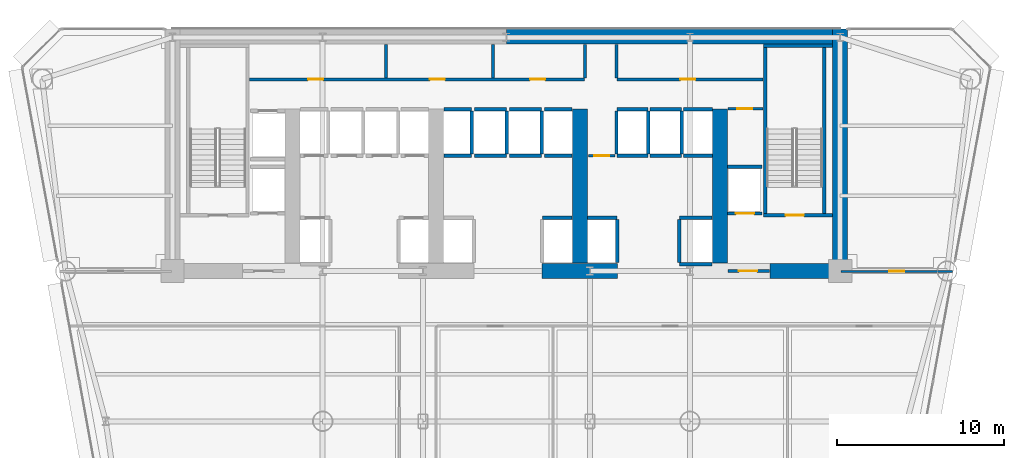
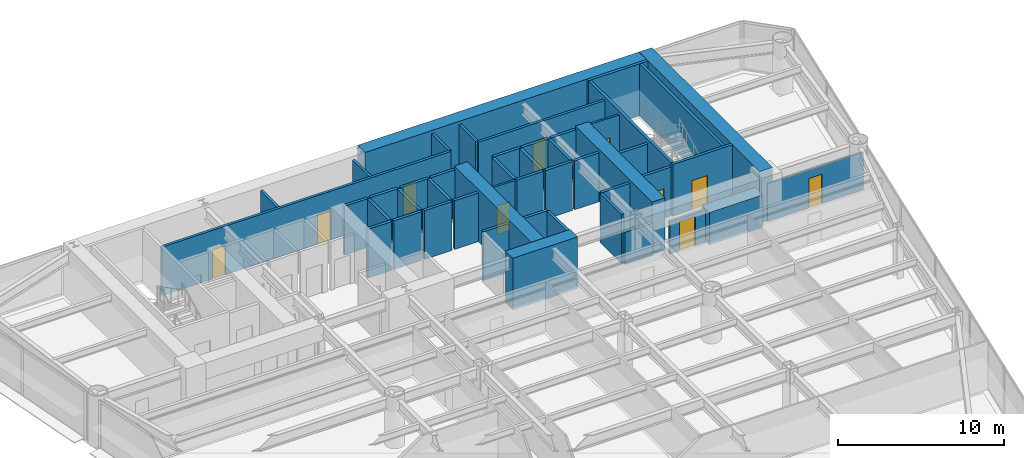
# One storey, part 9 of 14: 48 walls, 10 doors, 10 openings.
"""IFC4 building model written with IfcOpenShell, lengths in metres."""

from ifc_helpers import new_model, si_unit, direction, frame, frame_2d, origin, place, context, subcontext, project, spatial, rectangle, extrude, source, transform, mapped, material, layer, layer_set, type_object, element, fill, save


model = new_model("IFC4")

# Units and contexts
model_context = context("Model", 3, precision=1e-05, world=origin(), true_north=direction((0.0, 1.0)))
body_context = subcontext(model_context, "Body", "Model", "MODEL_VIEW")
ifc_project = project(units=[si_unit("LENGTHUNIT", "METRE"), si_unit("AREAUNIT", "SQUARE_METRE"), si_unit("VOLUMEUNIT", "CUBIC_METRE"), si_unit("PLANEANGLEUNIT", "RADIAN"), si_unit("MASSUNIT", "GRAM", prefix="KILO")], contexts=[model_context])

# Site, building, storey
site_placement = place(None, origin())
site = spatial("IfcSite", under=ifc_project, at=site_placement, CompositionType="ELEMENT")
building_placement = place(site_placement, origin())
building = spatial("IfcBuilding", under=site, at=building_placement, Name="Vaeldorn Concourse Tower", CompositionType="ELEMENT")
storey_placement = place(building_placement, frame((0.0, 0.0, 72.0)))
storey = spatial("IfcBuildingStorey", under=building, at=storey_placement, Name="L18", CompositionType="ELEMENT", Elevation=72.0)

# Walls
ifc_material_1 = material(Name="Concrete C60/75", Category="concrete")
ifc_layer_1 = layer(ifc_material_1, 0.89990234375)
ifc_layer_set_1 = layer_set([ifc_layer_1], Name="Concrete C60/75")
wall_type_1 = type_object("IfcWallType", Name="WL-CORE-900", PredefinedType="SHEAR", material=ifc_layer_set_1)
wall_1_placement = place(storey_placement, frame((34.001953125, 50.550048828125, 0.0), z_axis=(0.0, 0.0, 1.0), x_axis=(1.0, 0.0, 0.0)))
element("IfcWall", 1, at=wall_1_placement, inside=storey, type_object=wall_type_1, Name="Rear Core Shear Wall L18 N2", PredefinedType="SHEAR", context=body_context, shape_type="SweptSolid", body=[
    extrude(rectangle(XDim=19.5439453125, YDim=0.89990234375, at=frame_2d((9.77197265625, 0.0))), origin(), (0.0, 0.0, 1.0), 3.800048828125),
])
wall_2_placement = place(storey_placement, frame((54.0, 36.5, 0.0), z_axis=(0.0, 0.0, 1.0), x_axis=(0.0, 1.0, 0.0)))
element("IfcWall", 2, at=wall_2_placement, inside=storey, type_object=wall_type_1, Name="Rear Core Shear Wall L18 E1", PredefinedType="SHEAR", context=body_context, shape_type="SweptSolid", body=[
    extrude(rectangle(XDim=14.5, YDim=0.89990234375, at=frame_2d((7.25, 0.0))), origin(), (0.0, 0.0, 1.0), 3.800048828125),
])
wall_3_placement = place(storey_placement, frame((36.14990234375, 36.5, 0.0), z_axis=(0.0, 0.0, 1.0), x_axis=(1.0, 0.0, 0.0)))
element("IfcWall", 3, at=wall_3_placement, inside=storey, type_object=wall_type_1, Name="Rear Core Shear Wall L18 S3", PredefinedType="SHEAR", context=body_context, shape_type="SweptSolid", body=[
    extrude(rectangle(XDim=4.5, YDim=0.89990234375, at=frame_2d((2.25, 0.0))), origin(), (0.0, 0.0, 1.0), 3.800048828125),
])
wall_4_placement = place(storey_placement, frame((49.800048828125, 36.5, 0.0), z_axis=(0.0, 0.0, 1.0), x_axis=(1.0, 0.0, 0.0)))
element("IfcWall", 4, at=wall_4_placement, inside=storey, type_object=wall_type_1, Name="Rear Core Shear Wall L18 S4", PredefinedType="SHEAR", context=body_context, shape_type="SweptSolid", body=[
    extrude(rectangle(XDim=3.72998046875, YDim=0.89990234375, at=frame_2d((1.864990234375, 0.0))), origin(), (0.0, 0.0, 1.0), 2.3798828125),
])
for number, where, z_axis, x_axis, name in (
    (5, (38.39990234375, 36.969970703125, 0.0), (0.0, 0.0, 1.0), (0.0, 1.0, 0.0), "Rear Core Shear Wall L18 M3"),
    (6, (46.800048828125, 36.969970703125, 0.0), (0.0, 0.0, 1.0), (0.0, 1.0, 0.0), "Rear Core Shear Wall L18 M4"),
):
    element("IfcWall", number, at=place(storey_placement, frame(where, z_axis=z_axis, x_axis=x_axis)), inside=storey, type_object=wall_type_1, Name=name, PredefinedType="SHEAR", context=body_context, shape_type="SweptSolid", body=[
        extrude(rectangle(XDim=9.22998046875, YDim=0.89990234375, at=frame_2d((4.614990234375, 0.0))), origin(), (0.0, 0.0, 1.0), 3.800048828125),
    ])

# Wall, opening, door
ifc_material_2 = material(Name="Gypsum Board Partition", Category="gypsum")
ifc_layer_2 = layer(ifc_material_2, 0.1201171875)
ifc_layer_set_2 = layer_set([ifc_layer_2], Name="Gypsum Board Partition")
wall_type_2 = type_object("IfcWallType", Name="WL-PART-120", PredefinedType="PARTITIONING", material=ifc_layer_set_2)
wall_5_placement = place(storey_placement, frame((54.06005859375, 36.47998046875, 0.0), z_axis=(0.0, 0.0, 1.0), x_axis=(1.0, 0.0, 0.0)))
wall_5 = element("IfcWall", 7, at=wall_5_placement, inside=storey, type_object=wall_type_2, Name="Interior Wall PW-L18-NES", PredefinedType="PARTITIONING", context=body_context, shape_type="SweptSolid", body=[
    extrude(rectangle(XDim=6.662841796875, YDim=0.1201171875, at=frame_2d((3.33154296875, 0.0))), origin(), (0.0, 0.0, 1.0), 2.77001953125),
])
opening_1_placement = place(wall_5_placement, frame((2.881103515625, 0.0, 0.0)))
opening_1 = element("IfcOpeningElement", 8, at=opening_1_placement, cuts=wall_5, Name="Opening D-03", PredefinedType="OPENING", context=body_context, shape_type="SweptSolid", body=[
    extrude(rectangle(XDim=0.89990234375, YDim=2.14990234375, at=frame_2d((0.449951171875, 1.074951171875))), frame((0.0, 0.070068359375, 0.0), z_axis=(0.0, -1.0, 0.0), x_axis=(1.0, 0.0, 0.0)), (0.0, 0.0, 1.0), 0.14013671875),
])
ifc_material_3 = material(Name="Acoustic Bronze-Framed Glass Door", Category="glass")
door_type_1 = type_object("IfcDoorType", Name="DR-INT-900", OperationType="NOTDEFINED", PredefinedType="DOOR", material=ifc_material_3)
shared_shape_1 = source(origin(), body_context, "Body", "SweptSolid", [
    extrude(rectangle(XDim=0.89990234375, YDim=2.14990234375, at=frame_2d((0.449951171875, 1.074951171875))), frame((0.0, 0.02490234375, 0.0), z_axis=(0.0, -1.0, 0.0), x_axis=(1.0, 0.0, 0.0)), (0.0, 0.0, 1.0), 0.050048828125),
])
door_1_placement = place(opening_1_placement, origin())
door_1 = element("IfcDoor", 9, at=door_1_placement, inside=storey, type_object=door_type_1, Name="Interior Door DR-L18-NEC", OperationType="SINGLE_SWING_RIGHT", OverallHeight=2.14990234375, OverallWidth=0.89990234375, PredefinedType="DOOR", context=body_context, shape_type="MappedRepresentation", body=[
    mapped(shared_shape_1, transform((0.0, 0.0, 0.0), scale=1.0)),
])
fill(opening_1, door_1)

ifc_layer_3 = layer(ifc_material_2, 0.14990234375)
ifc_layer_set_3 = layer_set([ifc_layer_3], Name="Gypsum Board Partition")
wall_type_3 = type_object("IfcWallType", Name="WL-PART-150", PredefinedType="PARTITIONING", material=ifc_layer_set_3)
wall_6_placement = place(storey_placement, frame((47.280029296875, 46.219970703125, 0.0), z_axis=(0.0, 0.0, 1.0), x_axis=(1.0, 0.0, 0.0)))
wall_6 = element("IfcWall", 10, at=wall_6_placement, inside=storey, type_object=wall_type_3, Name="Interior Wall CW-L18-CRSE-N", PredefinedType="PARTITIONING", context=body_context, shape_type="SweptSolid", body=[
    extrude(rectangle(XDim=2.099853515625, YDim=0.14990234375, at=frame_2d((1.0498046875, 0.0))), origin(), (0.0, 0.0, 1.0), 3.580078125),
])
opening_2_placement = place(wall_6_placement, frame((0.550048828125, 0.0, 0.0)))
opening_2 = element("IfcOpeningElement", 11, at=opening_2_placement, cuts=wall_6, Name="Opening D-02", PredefinedType="OPENING", context=body_context, shape_type="SweptSolid", body=[
    extrude(rectangle(XDim=0.89990234375, YDim=2.10009765625, at=frame_2d((0.449951171875, 1.050048828125))), frame((0.0, 0.0849609375, 0.0), z_axis=(0.0, -1.0, 0.0), x_axis=(1.0, 0.0, 0.0)), (0.0, 0.0, 1.0), 0.169921875),
])
ifc_material_4 = material(Name="Fire-Rated Timber Leaf", Category="wood")
door_type_2 = type_object("IfcDoorType", Name="DR-FD30-900", OperationType="NOTDEFINED", PredefinedType="DOOR", material=ifc_material_4)
shared_shape_2 = source(origin(), body_context, "Body", "SweptSolid", [
    extrude(rectangle(XDim=0.89990234375, YDim=2.10009765625, at=frame_2d((0.449951171875, 1.050048828125))), frame((0.0, 0.02490234375, 0.0), z_axis=(0.0, -1.0, 0.0), x_axis=(1.0, 0.0, 0.0)), (0.0, 0.0, 1.0), 0.050048828125),
])
door_2_placement = place(opening_2_placement, origin())
door_2 = element("IfcDoor", 12, at=door_2_placement, inside=storey, type_object=door_type_2, Name="Interior Door DR-L18-CRSE", OperationType="SINGLE_SWING_RIGHT", OverallHeight=2.10009765625, OverallWidth=0.89990234375, PredefinedType="DOOR", context=body_context, shape_type="MappedRepresentation", body=[
    mapped(shared_shape_2, transform((0.0, 0.0, 0.0), scale=1.0)),
])
fill(opening_2, door_2)

wall_7_placement = place(storey_placement, frame((38.919921875, 43.39990234375, 0.0), z_axis=(0.0, 0.0, 1.0), x_axis=(1.0, 0.0, 0.0)))
wall_7 = element("IfcWall", 13, at=wall_7_placement, inside=storey, type_object=wall_type_3, Name="Interior Wall CW-L18-CCLINK", PredefinedType="PARTITIONING", context=body_context, shape_type="SweptSolid", body=[
    extrude(rectangle(XDim=1.60009765625, YDim=0.14990234375, at=frame_2d((0.800048828125, 0.0))), origin(), (0.0, 0.0, 1.0), 3.580078125),
])
opening_3_placement = place(wall_7_placement, frame((0.35009765625, 0.0, 0.0)))
opening_3 = element("IfcOpeningElement", 14, at=opening_3_placement, cuts=wall_7, Name="Opening D-02", PredefinedType="OPENING", context=body_context, shape_type="SweptSolid", body=[
    extrude(rectangle(XDim=0.89990234375, YDim=2.10009765625, at=frame_2d((0.449951171875, 1.050048828125))), frame((0.0, 0.0849609375, 0.0), z_axis=(0.0, -1.0, 0.0), x_axis=(1.0, 0.0, 0.0)), (0.0, 0.0, 1.0), 0.169921875),
])
door_3_placement = place(opening_3_placement, origin())
door_3 = element("IfcDoor", 15, at=door_3_placement, inside=storey, type_object=door_type_2, Name="Interior Door DR-L18-CCLINK", OperationType="SINGLE_SWING_LEFT", OverallHeight=2.10009765625, OverallWidth=0.89990234375, PredefinedType="DOOR", context=body_context, shape_type="MappedRepresentation", body=[
    mapped(shared_shape_2, transform((0.0, 0.0, 0.0), scale=1.0)),
])
fill(opening_3, door_3)

# Wall, openings, doors
ifc_layer_4 = layer(ifc_material_2, 0.179931640625)
ifc_layer_set_4 = layer_set([ifc_layer_4], Name="Gypsum Board Partition")
wall_type_4 = type_object("IfcWallType", Name="WL-PLUMB-180", PredefinedType="PLUMBINGWALL", material=ifc_layer_set_4)
wall_8_placement = place(storey_placement, frame((18.6201171875, 47.97998046875, 0.0), z_axis=(0.0, 0.0, 1.0), x_axis=(1.0, 0.0, 0.0)))
wall_8 = element("IfcWall", 16, at=wall_8_placement, inside=storey, type_object=wall_type_4, Name="Interior Wall CW-L18-NS1W", PredefinedType="PLUMBINGWALL", context=body_context, shape_type="SweptSolid", body=[
    extrude(rectangle(XDim=20.059814453125, YDim=0.179931640625, at=frame_2d((10.02978515625, 0.0))), origin(), (0.0, 0.0, 1.0), 3.580078125),
])
opening_4_placement = place(wall_8_placement, frame((3.5, 0.0, 0.0)))
opening_4 = element("IfcOpeningElement", 17, at=opening_4_placement, cuts=wall_8, Name="Opening D-03", PredefinedType="OPENING", context=body_context, shape_type="SweptSolid", body=[
    extrude(rectangle(XDim=0.89990234375, YDim=2.14990234375, at=frame_2d((0.449951171875, 1.074951171875))), frame((0.0, 0.10009765625, 0.0), z_axis=(0.0, -1.0, 0.0), x_axis=(1.0, 0.0, 0.0)), (0.0, 0.0, 1.0), 0.199951171875),
])
opening_5_placement = place(wall_8_placement, frame((10.800048828125, 0.0, 0.0)))
opening_5 = element("IfcOpeningElement", 18, at=opening_5_placement, cuts=wall_8, Name="Opening D-03", PredefinedType="OPENING", context=body_context, shape_type="SweptSolid", body=[
    extrude(rectangle(XDim=0.89990234375, YDim=2.14990234375, at=frame_2d((0.449951171875, 1.074951171875))), frame((0.0, 0.10009765625, 0.0), z_axis=(0.0, -1.0, 0.0), x_axis=(1.0, 0.0, 0.0)), (0.0, 0.0, 1.0), 0.199951171875),
])
opening_6_placement = place(wall_8_placement, frame((16.800048828125, 0.0, 0.0)))
opening_6 = element("IfcOpeningElement", 19, at=opening_6_placement, cuts=wall_8, Name="Opening D-03", PredefinedType="OPENING", context=body_context, shape_type="SweptSolid", body=[
    extrude(rectangle(XDim=0.89990234375, YDim=2.14990234375, at=frame_2d((0.449951171875, 1.074951171875))), frame((0.0, 0.10009765625, 0.0), z_axis=(0.0, -1.0, 0.0), x_axis=(1.0, 0.0, 0.0)), (0.0, 0.0, 1.0), 0.199951171875),
])
door_4_placement = place(opening_4_placement, origin())
door_4 = element("IfcDoor", 20, at=door_4_placement, inside=storey, type_object=door_type_1, Name="Interior Door DR-L18-CS1", OperationType="SINGLE_SWING_LEFT", OverallHeight=2.14990234375, OverallWidth=0.89990234375, PredefinedType="DOOR", context=body_context, shape_type="MappedRepresentation", body=[
    mapped(shared_shape_1, transform((0.0, 0.0, 0.0), scale=1.0)),
])
fill(opening_4, door_4)
door_5_placement = place(opening_5_placement, origin())
door_5 = element("IfcDoor", 21, at=door_5_placement, inside=storey, type_object=door_type_1, Name="Interior Door DR-L18-CS2", OperationType="SINGLE_SWING_RIGHT", OverallHeight=2.14990234375, OverallWidth=0.89990234375, PredefinedType="DOOR", context=body_context, shape_type="MappedRepresentation", body=[
    mapped(shared_shape_1, transform((0.0, 0.0, 0.0), scale=1.0)),
])
fill(opening_5, door_5)
door_6_placement = place(opening_6_placement, origin())
door_6 = element("IfcDoor", 22, at=door_6_placement, inside=storey, type_object=door_type_1, Name="Interior Door DR-L18-CS3", OperationType="SINGLE_SWING_LEFT", OverallHeight=2.14990234375, OverallWidth=0.89990234375, PredefinedType="DOOR", context=body_context, shape_type="MappedRepresentation", body=[
    mapped(shared_shape_1, transform((0.0, 0.0, 0.0), scale=1.0)),
])
fill(opening_6, door_6)

# Wall, opening, door
wall_9_placement = place(storey_placement, frame((40.6201171875, 47.97998046875, 0.0), z_axis=(0.0, 0.0, 1.0), x_axis=(1.0, 0.0, 0.0)))
wall_9 = element("IfcWall", 23, at=wall_9_placement, inside=storey, type_object=wall_type_4, Name="Interior Wall CW-L18-NS1E", PredefinedType="PLUMBINGWALL", context=body_context, shape_type="SweptSolid", body=[
    extrude(rectangle(XDim=8.759765625, YDim=0.179931640625, at=frame_2d((4.3798828125, 0.0))), origin(), (0.0, 0.0, 1.0), 3.580078125),
])
opening_7_placement = place(wall_9_placement, frame((3.800048828125, 0.0, 0.0)))
opening_7 = element("IfcOpeningElement", 24, at=opening_7_placement, cuts=wall_9, Name="Opening D-03", PredefinedType="OPENING", context=body_context, shape_type="SweptSolid", body=[
    extrude(rectangle(XDim=0.89990234375, YDim=2.14990234375, at=frame_2d((0.449951171875, 1.074951171875))), frame((0.0, 0.10009765625, 0.0), z_axis=(0.0, -1.0, 0.0), x_axis=(1.0, 0.0, 0.0)), (0.0, 0.0, 1.0), 0.199951171875),
])
door_7_placement = place(opening_7_placement, origin())
door_7 = element("IfcDoor", 25, at=door_7_placement, inside=storey, type_object=door_type_1, Name="Interior Door DR-L18-CS4", OperationType="SINGLE_SWING_RIGHT", OverallHeight=2.14990234375, OverallWidth=0.89990234375, PredefinedType="DOOR", context=body_context, shape_type="MappedRepresentation", body=[
    mapped(shared_shape_1, transform((0.0, 0.0, 0.0), scale=1.0)),
])
fill(opening_7, door_7)

# Walls
for number, where, z_axis, x_axis, name in (
    (26, (26.800048828125, 48.06005859375, 0.0), (0.0, 0.0, 1.0), (0.0, 1.0, 0.0), "Interior Wall CW-L18-NDIV1"),
    (27, (33.199951171875, 48.06005859375, 0.0), (0.0, 0.0, 1.0), (0.0, 1.0, 0.0), "Interior Wall CW-L18-NDIV2"),
    (28, (38.699951171875, 48.06005859375, 0.0), (0.0, 0.0, 1.0), (0.0, 1.0, 0.0), "Interior Wall CW-L18-NDIV3"),
    (29, (40.60009765625, 48.06005859375, 0.0), (0.0, 0.0, 1.0), (0.0, 1.0, 0.0), "Interior Wall CW-L18-NDIV4"),
):
    element("IfcWall", number, at=place(storey_placement, frame(where, z_axis=z_axis, x_axis=x_axis)), inside=storey, type_object=wall_type_4, Name=name, PredefinedType="PLUMBINGWALL", context=body_context, shape_type="SweptSolid", body=[
        extrude(rectangle(XDim=2.02001953125, YDim=0.179931640625, at=frame_2d((1.010009765625, 0.0))), origin(), (0.0, 0.0, 1.0), 3.580078125),
    ])

# Wall, opening, door
ifc_material_5 = material(Name="Concrete C50/60", Category="concrete")
ifc_layer_5 = layer(ifc_material_5, 0.199951171875)
ifc_layer_set_5 = layer_set([ifc_layer_5], Name="Concrete C50/60")
wall_type_5 = type_object("IfcWallType", Name="WL-SHAFT-200", PredefinedType="SOLIDWALL", material=ifc_layer_set_5)
wall_10_placement = place(storey_placement, frame((49.39990234375, 39.85009765625, 0.0), z_axis=(0.0, 0.0, 1.0), x_axis=(1.0, 0.0, 0.0)))
wall_10 = element("IfcWall", 30, at=wall_10_placement, inside=storey, type_object=wall_type_5, Name="Stair Shaft Wall CW-L18-ST-2-S", PredefinedType="SOLIDWALL", context=body_context, shape_type="SweptSolid", body=[
    extrude(rectangle(XDim=4.150146484375, YDim=0.199951171875, at=frame_2d((2.0751953125, 0.0))), origin(), (0.0, 0.0, 1.0), 3.800048828125),
])
opening_8_placement = place(wall_10_placement, frame((1.324951171875, 0.0, 0.0)))
opening_8 = element("IfcOpeningElement", 31, at=opening_8_placement, cuts=wall_10, Name="Opening D-01", PredefinedType="OPENING", context=body_context, shape_type="SweptSolid", body=[
    extrude(rectangle(XDim=1.10009765625, YDim=2.14990234375, at=frame_2d((0.550048828125, 1.074951171875))), frame((0.0, 0.10986328125, 0.0), z_axis=(0.0, -1.0, 0.0), x_axis=(1.0, 0.0, 0.0)), (0.0, 0.0, 1.0), 0.219970703125),
])
ifc_material_6 = material(Name="Fire-Rated Timber and Steel Leaf", Category="steel")
door_type_3 = type_object("IfcDoorType", Name="DR-FD60-1100", OperationType="NOTDEFINED", PredefinedType="DOOR", material=ifc_material_6)
shared_shape_3 = source(origin(), body_context, "Body", "SweptSolid", [
    extrude(rectangle(XDim=1.10009765625, YDim=2.14990234375, at=frame_2d((0.550048828125, 1.074951171875))), frame((0.0, 0.02490234375, 0.0), z_axis=(0.0, -1.0, 0.0), x_axis=(1.0, 0.0, 0.0)), (0.0, 0.0, 1.0), 0.050048828125),
])
door_8_placement = place(opening_8_placement, origin())
door_8 = element("IfcDoor", 32, at=door_8_placement, inside=storey, type_object=door_type_3, Name="Interior Door DR-L18-ST-2", OperationType="SINGLE_SWING_RIGHT", OverallHeight=2.14990234375, OverallWidth=1.10009765625, PredefinedType="DOOR", context=body_context, shape_type="MappedRepresentation", body=[
    mapped(shared_shape_3, transform((0.0, 0.0, 0.0), scale=1.0)),
])
fill(opening_8, door_8)

# Walls
wall_11_placement = place(storey_placement, frame((49.39990234375, 50.0, 0.0), z_axis=(0.0, 0.0, 1.0), x_axis=(1.0, 0.0, 0.0)))
element("IfcWall", 33, at=wall_11_placement, inside=storey, type_object=wall_type_5, Name="Stair Shaft Wall CW-L18-ST-2-N", PredefinedType="SOLIDWALL", context=body_context, shape_type="SweptSolid", body=[
    extrude(rectangle(XDim=4.150146484375, YDim=0.199951171875, at=frame_2d((2.0751953125, 0.0))), origin(), (0.0, 0.0, 1.0), 3.800048828125),
])
for number, where, z_axis, x_axis, name in (
    (34, (49.5, 39.9599609375, 0.0), (0.0, 0.0, 1.0), (0.0, 1.0, 0.0), "Stair Shaft Wall CW-L18-ST-2-W"),
    (35, (53.050048828125, 39.9599609375, 0.0), (0.0, 0.0, 1.0), (0.0, 1.0, 0.0), "Stair Shaft Wall CW-L18-ST-2-E"),
):
    element("IfcWall", number, at=place(storey_placement, frame(where, z_axis=z_axis, x_axis=x_axis)), inside=storey, type_object=wall_type_5, Name=name, PredefinedType="SOLIDWALL", context=body_context, shape_type="SweptSolid", body=[
        extrude(rectangle(XDim=9.929931640625, YDim=0.199951171875, at=frame_2d((4.96484375, 0.0))), origin(), (0.0, 0.0, 1.0), 3.800048828125),
    ])

# Wall, opening, door
wall_12_placement = place(storey_placement, frame((47.280029296875, 36.5, 0.0), z_axis=(0.0, 0.0, 1.0), x_axis=(1.0, 0.0, 0.0)))
wall_12 = element("IfcWall", 36, at=wall_12_placement, inside=storey, type_object=wall_type_5, Name="Interior Wall CW-L18-FF2S", PredefinedType="SOLIDWALL", context=body_context, shape_type="SweptSolid", body=[
    extrude(rectangle(XDim=2.469970703125, YDim=0.199951171875, at=frame_2d((1.23486328125, 0.0))), origin(), (0.0, 0.0, 1.0), 2.3701171875),
])
opening_9_placement = place(wall_12_placement, frame((0.64990234375, 0.0, 0.0)))
opening_9 = element("IfcOpeningElement", 37, at=opening_9_placement, cuts=wall_12, Name="Opening D-01", PredefinedType="OPENING", context=body_context, shape_type="SweptSolid", body=[
    extrude(rectangle(XDim=1.10009765625, YDim=2.14990234375, at=frame_2d((0.550048828125, 1.074951171875))), frame((0.0, 0.10986328125, 0.0), z_axis=(0.0, -1.0, 0.0), x_axis=(1.0, 0.0, 0.0)), (0.0, 0.0, 1.0), 0.219970703125),
])
door_9_placement = place(opening_9_placement, origin())
door_9 = element("IfcDoor", 38, at=door_9_placement, inside=storey, type_object=door_type_3, Name="Interior Door DR-L18-FF2W", OperationType="SINGLE_SWING_LEFT", OverallHeight=2.14990234375, OverallWidth=1.10009765625, PredefinedType="DOOR", context=body_context, shape_type="MappedRepresentation", body=[
    mapped(shared_shape_3, transform((0.0, 0.0, 0.0), scale=1.0)),
])
fill(opening_9, door_9)

# Walls
wall_13_placement = place(storey_placement, frame((36.169921875, 39.699951171875, 0.0), z_axis=(0.0, 0.0, 1.0), x_axis=(1.0, 0.0, 0.0)))
element("IfcWall", 39, at=wall_13_placement, inside=storey, type_object=wall_type_5, Name="Interior Wall CW-L18-LF-LF-08", PredefinedType="SOLIDWALL", context=body_context, shape_type="SweptSolid", body=[
    extrude(rectangle(XDim=1.77001953125, YDim=0.199951171875, at=frame_2d((0.885009765625, 0.0))), origin(), (0.0, 0.0, 1.0), 3.580078125),
])
for number, where, z_axis, x_axis, name in (
    (40, (30.260009765625, 43.39990234375, 0.0), (0.0, 0.0, 1.0), (1.0, 0.0, 0.0), "Interior Wall CW-L18-LF-LF-09"),
    (41, (30.260009765625, 46.199951171875, 0.0), (0.0, 0.0, 1.0), (1.0, 0.0, 0.0), "Interior Wall CW-L18-LFB-LF-09"),
):
    element("IfcWall", number, at=place(storey_placement, frame(where, z_axis=z_axis, x_axis=x_axis)), inside=storey, type_object=wall_type_5, Name=name, PredefinedType="SOLIDWALL", context=body_context, shape_type="SweptSolid", body=[
        extrude(rectangle(XDim=1.64990234375, YDim=0.199951171875, at=frame_2d((0.824951171875, 0.0))), origin(), (0.0, 0.0, 1.0), 3.580078125),
    ])
wall_14_placement = place(storey_placement, frame((31.929931640625, 43.52001953125, 0.0), z_axis=(0.0, 0.0, 1.0), x_axis=(0.0, 1.0, 0.0)))
element("IfcWall", 42, at=wall_14_placement, inside=storey, type_object=wall_type_5, Name="Interior Wall CW-L18-LFE-LF-09", PredefinedType="SOLIDWALL", context=body_context, shape_type="SweptSolid", body=[
    extrude(rectangle(XDim=2.56005859375, YDim=0.199951171875, at=frame_2d((1.280029296875, 0.0))), origin(), (0.0, 0.0, 1.0), 3.580078125),
])
for number, where, z_axis, x_axis, name in (
    (43, (32.090087890625, 43.39990234375, 0.0), (0.0, 0.0, 1.0), (1.0, 0.0, 0.0), "Interior Wall CW-L18-LF-LF-10"),
    (44, (32.090087890625, 46.199951171875, 0.0), (0.0, 0.0, 1.0), (1.0, 0.0, 0.0), "Interior Wall CW-L18-LFB-LF-10"),
):
    element("IfcWall", number, at=place(storey_placement, frame(where, z_axis=z_axis, x_axis=x_axis)), inside=storey, type_object=wall_type_5, Name=name, PredefinedType="SOLIDWALL", context=body_context, shape_type="SweptSolid", body=[
        extrude(rectangle(XDim=1.919921875, YDim=0.199951171875, at=frame_2d((0.9599609375, 0.0))), origin(), (0.0, 0.0, 1.0), 3.580078125),
    ])
wall_15_placement = place(storey_placement, frame((34.030029296875, 43.52001953125, 0.0), z_axis=(0.0, 0.0, 1.0), x_axis=(0.0, 1.0, 0.0)))
element("IfcWall", 45, at=wall_15_placement, inside=storey, type_object=wall_type_5, Name="Interior Wall CW-L18-LFE-LF-10", PredefinedType="SOLIDWALL", context=body_context, shape_type="SweptSolid", body=[
    extrude(rectangle(XDim=2.56005859375, YDim=0.199951171875, at=frame_2d((1.280029296875, 0.0))), origin(), (0.0, 0.0, 1.0), 3.580078125),
])
for number, where, z_axis, x_axis, name in (
    (46, (34.18994140625, 43.39990234375, 0.0), (0.0, 0.0, 1.0), (1.0, 0.0, 0.0), "Interior Wall CW-L18-LF-LF-11"),
    (47, (34.18994140625, 46.199951171875, 0.0), (0.0, 0.0, 1.0), (1.0, 0.0, 0.0), "Interior Wall CW-L18-LFB-LF-11"),
):
    element("IfcWall", number, at=place(storey_placement, frame(where, z_axis=z_axis, x_axis=x_axis)), inside=storey, type_object=wall_type_5, Name=name, PredefinedType="SOLIDWALL", context=body_context, shape_type="SweptSolid", body=[
        extrude(rectangle(XDim=1.920166015625, YDim=0.199951171875, at=frame_2d((0.9599609375, 0.0))), origin(), (0.0, 0.0, 1.0), 3.580078125),
    ])
wall_16_placement = place(storey_placement, frame((36.1298828125, 43.52001953125, 0.0), z_axis=(0.0, 0.0, 1.0), x_axis=(0.0, 1.0, 0.0)))
element("IfcWall", 48, at=wall_16_placement, inside=storey, type_object=wall_type_5, Name="Interior Wall CW-L18-LFE-LF-11", PredefinedType="SOLIDWALL", context=body_context, shape_type="SweptSolid", body=[
    extrude(rectangle(XDim=2.56005859375, YDim=0.199951171875, at=frame_2d((1.280029296875, 0.0))), origin(), (0.0, 0.0, 1.0), 3.580078125),
])
for number, where, z_axis, x_axis, name in (
    (49, (36.2900390625, 43.39990234375, 0.0), (0.0, 0.0, 1.0), (1.0, 0.0, 0.0), "Interior Wall CW-L18-LF-LF-12"),
    (50, (36.2900390625, 46.199951171875, 0.0), (0.0, 0.0, 1.0), (1.0, 0.0, 0.0), "Interior Wall CW-L18-LFB-LF-12"),
):
    element("IfcWall", number, at=place(storey_placement, frame(where, z_axis=z_axis, x_axis=x_axis)), inside=storey, type_object=wall_type_5, Name=name, PredefinedType="SOLIDWALL", context=body_context, shape_type="SweptSolid", body=[
        extrude(rectangle(XDim=1.64990234375, YDim=0.199951171875, at=frame_2d((0.824951171875, 0.0))), origin(), (0.0, 0.0, 1.0), 3.580078125),
    ])
wall_17_placement = place(storey_placement, frame((38.860107421875, 39.699951171875, 0.0), z_axis=(0.0, 0.0, 1.0), x_axis=(1.0, 0.0, 0.0)))
element("IfcWall", 51, at=wall_17_placement, inside=storey, type_object=wall_type_5, Name="Interior Wall CW-L18-LF-LF-13", PredefinedType="SOLIDWALL", context=body_context, shape_type="SweptSolid", body=[
    extrude(rectangle(XDim=1.769775390625, YDim=0.199951171875, at=frame_2d((0.884765625, 0.0))), origin(), (0.0, 0.0, 1.0), 3.580078125),
])
wall_18_placement = place(storey_placement, frame((40.64990234375, 37.02001953125, 0.0), z_axis=(0.0, 0.0, 1.0), x_axis=(0.0, 1.0, 0.0)))
element("IfcWall", 52, at=wall_18_placement, inside=storey, type_object=wall_type_5, Name="Interior Wall CW-L18-LFE-LF-13", PredefinedType="SOLIDWALL", context=body_context, shape_type="SweptSolid", body=[
    extrude(rectangle(XDim=2.56005859375, YDim=0.199951171875, at=frame_2d((1.280029296875, 0.0))), origin(), (0.0, 0.0, 1.0), 3.580078125),
])
wall_19_placement = place(storey_placement, frame((44.3701171875, 39.699951171875, 0.0), z_axis=(0.0, 0.0, 1.0), x_axis=(1.0, 0.0, 0.0)))
element("IfcWall", 53, at=wall_19_placement, inside=storey, type_object=wall_type_5, Name="Interior Wall CW-L18-LF-LF-14", PredefinedType="SOLIDWALL", context=body_context, shape_type="SweptSolid", body=[
    extrude(rectangle(XDim=1.9599609375, YDim=0.199951171875, at=frame_2d((0.97998046875, 0.0))), origin(), (0.0, 0.0, 1.0), 3.580078125),
])
wall_20_placement = place(storey_placement, frame((44.3701171875, 36.89990234375, 0.0), z_axis=(0.0, 0.0, 1.0), x_axis=(1.0, 0.0, 0.0)))
element("IfcWall", 54, at=wall_20_placement, inside=storey, type_object=wall_type_5, Name="Interior Wall CW-L18-LFB-LF-14", PredefinedType="SOLIDWALL", context=body_context, shape_type="SweptSolid", body=[
    extrude(rectangle(XDim=1.9599609375, YDim=0.199951171875, at=frame_2d((0.97998046875, 0.0))), origin(), (0.0, 0.0, 1.0), 2.3701171875),
])
wall_21_placement = place(storey_placement, frame((44.35009765625, 37.02001953125, 0.0), z_axis=(0.0, 0.0, 1.0), x_axis=(0.0, 1.0, 0.0)))
element("IfcWall", 55, at=wall_21_placement, inside=storey, type_object=wall_type_5, Name="Interior Wall CW-L18-LFW-LF-14", PredefinedType="SOLIDWALL", context=body_context, shape_type="SweptSolid", body=[
    extrude(rectangle(XDim=2.56005859375, YDim=0.199951171875, at=frame_2d((1.280029296875, 0.0))), origin(), (0.0, 0.0, 1.0), 3.580078125),
])
for number, where, z_axis, x_axis, name in (
    (56, (40.6201171875, 43.39990234375, 0.0), (0.0, 0.0, 1.0), (1.0, 0.0, 0.0), "Interior Wall CW-L18-LF-LF-15"),
    (57, (40.6201171875, 46.199951171875, 0.0), (0.0, 0.0, 1.0), (1.0, 0.0, 0.0), "Interior Wall CW-L18-LFB-LF-15"),
):
    element("IfcWall", number, at=place(storey_placement, frame(where, z_axis=z_axis, x_axis=x_axis)), inside=storey, type_object=wall_type_5, Name=name, PredefinedType="SOLIDWALL", context=body_context, shape_type="SweptSolid", body=[
        extrude(rectangle(XDim=1.85986328125, YDim=0.199951171875, at=frame_2d((0.929931640625, 0.0))), origin(), (0.0, 0.0, 1.0), 3.580078125),
    ])
for number, where, z_axis, x_axis, name in (
    (58, (40.60009765625, 43.52001953125, 0.0), (0.0, 0.0, 1.0), (0.0, 1.0, 0.0), "Interior Wall CW-L18-LFW-LF-15"),
    (59, (42.5, 43.52001953125, 0.0), (0.0, 0.0, 1.0), (0.0, 1.0, 0.0), "Interior Wall CW-L18-LFE-LF-15"),
):
    element("IfcWall", number, at=place(storey_placement, frame(where, z_axis=z_axis, x_axis=x_axis)), inside=storey, type_object=wall_type_5, Name=name, PredefinedType="SOLIDWALL", context=body_context, shape_type="SweptSolid", body=[
        extrude(rectangle(XDim=2.56005859375, YDim=0.199951171875, at=frame_2d((1.280029296875, 0.0))), origin(), (0.0, 0.0, 1.0), 3.580078125),
    ])
for number, where, z_axis, x_axis, name in (
    (60, (42.6201171875, 43.39990234375, 0.0), (0.0, 0.0, 1.0), (1.0, 0.0, 0.0), "Interior Wall CW-L18-LF-LF-16"),
    (61, (42.6201171875, 46.199951171875, 0.0), (0.0, 0.0, 1.0), (1.0, 0.0, 0.0), "Interior Wall CW-L18-LFB-LF-16"),
):
    element("IfcWall", number, at=place(storey_placement, frame(where, z_axis=z_axis, x_axis=x_axis)), inside=storey, type_object=wall_type_5, Name=name, PredefinedType="SOLIDWALL", context=body_context, shape_type="SweptSolid", body=[
        extrude(rectangle(XDim=1.85986328125, YDim=0.199951171875, at=frame_2d((0.929931640625, 0.0))), origin(), (0.0, 0.0, 1.0), 3.580078125),
    ])
wall_22_placement = place(storey_placement, frame((44.5, 43.52001953125, 0.0), z_axis=(0.0, 0.0, 1.0), x_axis=(0.0, 1.0, 0.0)))
element("IfcWall", 62, at=wall_22_placement, inside=storey, type_object=wall_type_5, Name="Interior Wall CW-L18-LFE-LF-16", PredefinedType="SOLIDWALL", context=body_context, shape_type="SweptSolid", body=[
    extrude(rectangle(XDim=2.56005859375, YDim=0.199951171875, at=frame_2d((1.280029296875, 0.0))), origin(), (0.0, 0.0, 1.0), 3.580078125),
])
for number, where, z_axis, x_axis, name in (
    (63, (44.6201171875, 43.39990234375, 0.0), (0.0, 0.0, 1.0), (1.0, 0.0, 0.0), "Interior Wall CW-L18-LF-LF-17"),
    (64, (44.6201171875, 46.199951171875, 0.0), (0.0, 0.0, 1.0), (1.0, 0.0, 0.0), "Interior Wall CW-L18-LFB-LF-17"),
):
    element("IfcWall", number, at=place(storey_placement, frame(where, z_axis=z_axis, x_axis=x_axis)), inside=storey, type_object=wall_type_5, Name=name, PredefinedType="SOLIDWALL", context=body_context, shape_type="SweptSolid", body=[
        extrude(rectangle(XDim=1.719970703125, YDim=0.199951171875, at=frame_2d((0.85986328125, 0.0))), origin(), (0.0, 0.0, 1.0), 3.580078125),
    ])

# Wall, opening, door
wall_23_placement = place(storey_placement, frame((47.260009765625, 39.949951171875, 0.0), z_axis=(0.0, 0.0, 1.0), x_axis=(1.0, 0.0, 0.0)))
wall_23 = element("IfcWall", 65, at=wall_23_placement, inside=storey, type_object=wall_type_5, Name="Interior Wall CW-L18-LF-LF-FF2", PredefinedType="SOLIDWALL", context=body_context, shape_type="SweptSolid", body=[
    extrude(rectangle(XDim=2.070068359375, YDim=0.199951171875, at=frame_2d((1.03515625, 0.0))), origin(), (0.0, 0.0, 1.0), 3.580078125),
])
opening_10_placement = place(wall_23_placement, frame((0.485107421875, 0.0, 0.0)))
opening_10 = element("IfcOpeningElement", 66, at=opening_10_placement, cuts=wall_23, Name="Opening LD-1", PredefinedType="OPENING", context=body_context, shape_type="SweptSolid", body=[
    extrude(rectangle(XDim=1.10009765625, YDim=2.14990234375, at=frame_2d((0.550048828125, 1.074951171875))), frame((0.0, 0.10986328125, 0.0), z_axis=(0.0, -1.0, 0.0), x_axis=(1.0, 0.0, 0.0)), (0.0, 0.0, 1.0), 0.219970703125),
])
ifc_material_7 = material(Name="Anodised Bronze Aluminium", Category="aluminium")
door_type_4 = type_object("IfcDoorType", Name="DR-LIFT-SLIDE-1100", OperationType="DOUBLE_DOOR_SLIDING", PredefinedType="DOOR", material=ifc_material_7)
door_10_placement = place(opening_10_placement, origin())
door_10 = element("IfcDoor", 67, at=door_10_placement, inside=storey, type_object=door_type_4, Name="Lift Landing Door LD-L18-LF-FF2", OperationType="DOUBLE_DOOR_SLIDING", OverallHeight=2.14990234375, OverallWidth=1.10009765625, PredefinedType="DOOR", context=body_context, shape_type="MappedRepresentation", body=[
    mapped(shared_shape_3, transform((0.0, 0.0, 0.0), scale=1.0)),
])
fill(opening_10, door_10)

# Wall
wall_24_placement = place(storey_placement, frame((47.260009765625, 42.75, 0.0), z_axis=(0.0, 0.0, 1.0), x_axis=(1.0, 0.0, 0.0)))
element("IfcWall", 68, at=wall_24_placement, inside=storey, type_object=wall_type_5, Name="Interior Wall CW-L18-LFB-LF-FF2", PredefinedType="SOLIDWALL", context=body_context, shape_type="SweptSolid", body=[
    extrude(rectangle(XDim=2.070068359375, YDim=0.199951171875, at=frame_2d((1.03515625, 0.0))), origin(), (0.0, 0.0, 1.0), 3.580078125),
])

save(model, "model.ifc")
